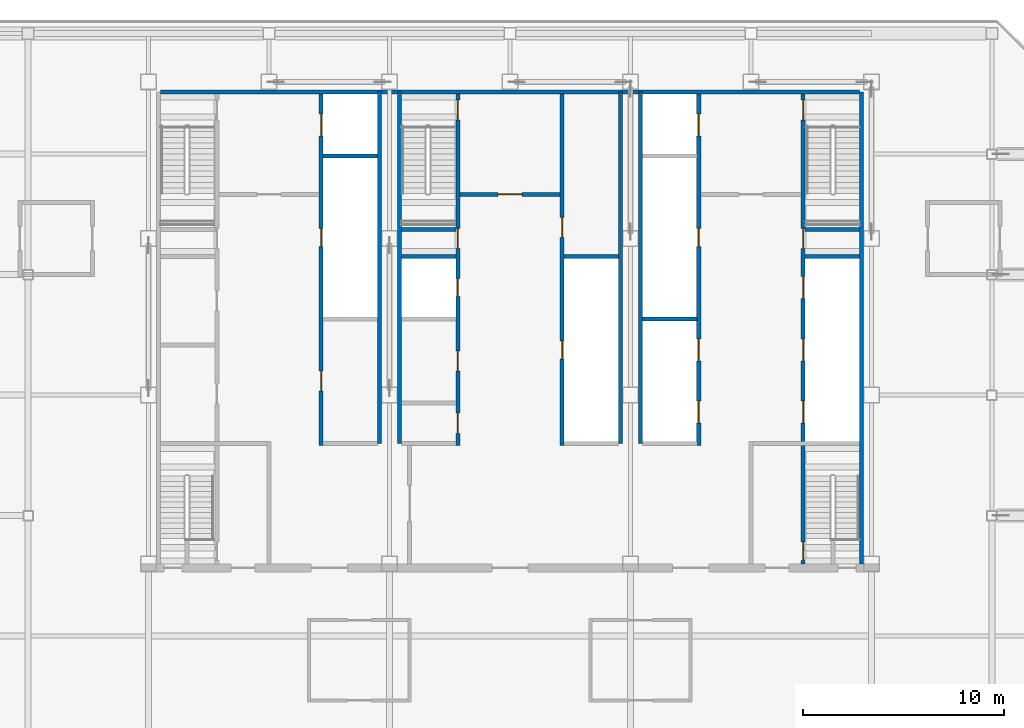
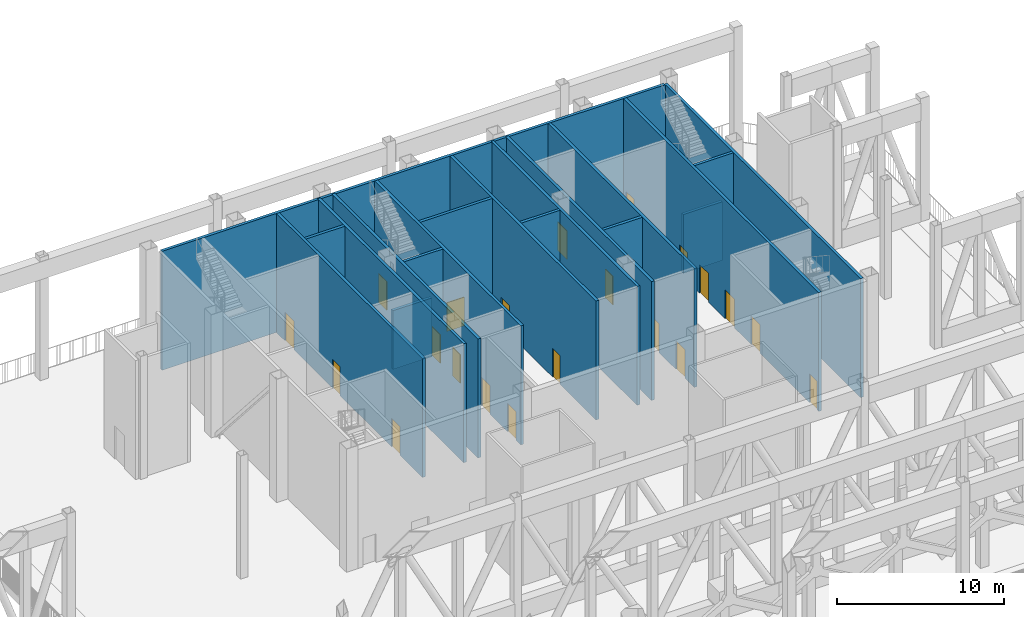
# One storey, part 8 of 22: 21 doors, 19 walls, 21 openings.
"""IFC4 building model written with IfcOpenShell, lengths in metres."""

from ifc_helpers import new_model, si_unit, direction, frame, frame_2d, origin, place, context, subcontext, project, spatial, rectangle, extrude, material, layer, layer_set, type_object, element, fill, save


model = new_model("IFC4")

# Units and contexts
model_context = context("Model", 3, precision=1e-05, world=origin(), true_north=direction((0.0, 1.0)))
body_context = subcontext(model_context, "Body", "Model", "MODEL_VIEW")
ifc_project = project(units=[si_unit("LENGTHUNIT", "METRE"), si_unit("AREAUNIT", "SQUARE_METRE"), si_unit("VOLUMEUNIT", "CUBIC_METRE"), si_unit("PLANEANGLEUNIT", "RADIAN"), si_unit("MASSUNIT", "GRAM", prefix="KILO")], contexts=[model_context])

# Site, building, storey
site_placement = place(None, origin())
site = spatial("IfcSite", under=ifc_project, at=site_placement, CompositionType="ELEMENT")
building_placement = place(site_placement, origin())
building = spatial("IfcBuilding", under=site, at=building_placement, Name="Sorahane Residences", CompositionType="ELEMENT")
storey_placement = place(building_placement, frame((0.0, 0.0, 281.800048828125)))
storey = spatial("IfcBuildingStorey", under=building, at=storey_placement, Name="L67", CompositionType="ELEMENT", Elevation=281.800048828125)

# Walls
ifc_material_1 = material(Name="White painted Concrete C30", Category="concrete")
ifc_layer_1 = layer(ifc_material_1, 0.199951171875)
ifc_layer_set_1 = layer_set([ifc_layer_1], Name="Core face wall painted white 200 EI 180")
wall_type_1 = type_object("IfcWallType", Name="Core face wall painted white 200 EI 180", PredefinedType="SOLIDWALL", material=ifc_layer_set_1)
wall_1_placement = place(storey_placement, frame((41.5, 21.60009765625, 0.0), z_axis=(0.0, 0.0, 1.0), x_axis=(0.0, 1.0, 0.0)))
element("IfcWall", 1, at=wall_1_placement, inside=storey, type_object=wall_type_1, Name="L67 core face wall", PredefinedType="SOLIDWALL", context=body_context, shape_type="SweptSolid", body=[
    extrude(rectangle(XDim=23.5, YDim=0.199951171875, at=frame_2d((11.75, 0.0))), origin(), (0.0, 0.0, 1.0), 8.699951171875),
])
wall_2_placement = place(storey_placement, frame((6.60009765625, 45.10009765625, 0.0), z_axis=(0.0, 0.0, 1.0), x_axis=(1.0, 0.0, 0.0)))
element("IfcWall", 2, at=wall_2_placement, inside=storey, type_object=wall_type_1, Name="L67 core face wall", PredefinedType="SOLIDWALL", context=body_context, shape_type="SweptSolid", body=[
    extrude(rectangle(XDim=34.7998046875, YDim=0.199951171875, at=frame_2d((17.39990234375, 0.0))), origin(), (0.0, 0.0, 1.0), 8.699951171875),
])
for number, where, z_axis, x_axis, name in (
    (3, (17.5, 27.60009765625, 0.0), (0.0, 0.0, 1.0), (0.0, 1.0, 0.0), "L67 core face wall"),
    (4, (18.5, 27.60009765625, 0.0), (0.0, 0.0, 1.0), (0.0, 1.0, 0.0), "L67 core face wall"),
    (5, (29.5, 27.60009765625, 0.0), (0.0, 0.0, 1.0), (0.0, 1.0, 0.0), "L67 core face wall"),
    (6, (30.5, 27.60009765625, 0.0), (0.0, 0.0, 1.0), (0.0, 1.0, 0.0), "L67 core face wall"),
):
    element("IfcWall", number, at=place(storey_placement, frame(where, z_axis=z_axis, x_axis=x_axis)), inside=storey, type_object=wall_type_1, Name=name, PredefinedType="SOLIDWALL", context=body_context, shape_type="SweptSolid", body=[
        extrude(rectangle(XDim=17.5, YDim=0.199951171875, at=frame_2d((8.75, 0.0))), origin(), (0.0, 0.0, 1.0), 8.699951171875),
    ])

# Wall, opening, door
ifc_material_2 = material(Name="White painted Concrete C30", Category="concrete")
ifc_layer_2 = layer(ifc_material_2, 0.199951171875)
ifc_layer_set_2 = layer_set([ifc_layer_2], Name="Front room wall painted white 200 EI 120")
wall_type_2 = type_object("IfcWallType", Name="Front room wall painted white 200 EI 120", PredefinedType="PARTITIONING", material=ifc_layer_set_2)
wall_3_placement = place(storey_placement, frame((21.5, 40.0, 0.0), z_axis=(0.0, 0.0, 1.0), x_axis=(1.0, 0.0, 0.0)))
wall_3 = element("IfcWall", 7, at=wall_3_placement, inside=storey, type_object=wall_type_2, Name="L67 front room wall", PredefinedType="PARTITIONING", context=body_context, shape_type="SweptSolid", body=[
    extrude(rectangle(XDim=5.0, YDim=0.199951171875, at=frame_2d((2.5, 0.0))), origin(), (0.0, 0.0, 1.0), 8.699951171875),
])
opening_1_placement = place(wall_3_placement, frame((1.89990234375, 0.0, 0.0)))
opening_1 = element("IfcOpeningElement", 8, at=opening_1_placement, cuts=wall_3, Name="Opening L67-C08", PredefinedType="OPENING", context=body_context, shape_type="SweptSolid", body=[
    extrude(rectangle(XDim=1.199951171875, YDim=2.10009765625, at=frame_2d((0.60009765625, 1.050048828125))), frame((0.0, 0.10986328125, 0.0), z_axis=(0.0, -1.0, 0.0), x_axis=(1.0, 0.0, 0.0)), (0.0, 0.0, 1.0), 0.219970703125),
])
ifc_material_3 = material(Name="Steel", Category="steel")
door_type_1 = type_object("IfcDoorType", Name="Front room door 1200x2100 FD120", OperationType="NOTDEFINED", PredefinedType="DOOR", material=ifc_material_3)
door_1_placement = place(opening_1_placement, frame((1.199951171875, 0.0, 0.0), z_axis=(0.0, 0.0, 1.0), x_axis=(-1.0, 0.0, 0.0)))
door_1 = element("IfcDoor", 9, at=door_1_placement, inside=storey, type_object=door_type_1, Name="Front room door Stair S3 vestibule L67", OperationType="DOUBLE_DOOR_SINGLE_SWING", OverallHeight=2.10009765625, OverallWidth=1.199951171875, PredefinedType="DOOR", context=body_context, shape_type="SweptSolid", body=[
    extrude(rectangle(XDim=1.199951171875, YDim=2.10009765625, at=frame_2d((0.60009765625, 1.050048828125))), frame((0.0, 0.02490234375, 0.0), z_axis=(0.0, -1.0, 0.0), x_axis=(1.0, 0.0, 0.0)), (0.0, 0.0, 1.0), 0.050048828125),
])
fill(opening_1, door_1)

# Wall, openings, doors
ifc_material_4 = material(Name="White painted Concrete C30", Category="concrete")
ifc_layer_3 = layer(ifc_material_4, 0.199951171875)
ifc_layer_set_3 = layer_set([ifc_layer_3], Name="Lift shaft wall painted white 200 EI 120")
wall_type_3 = type_object("IfcWallType", Name="Lift shaft wall painted white 200 EI 120", PredefinedType="SOLIDWALL", material=ifc_layer_set_3)
wall_4_placement = place(storey_placement, frame((14.60009765625, 27.5, 0.0), z_axis=(0.0, 0.0, 1.0), x_axis=(0.0, 1.0, 0.0)))
wall_4 = element("IfcWall", 10, at=wall_4_placement, inside=storey, type_object=wall_type_3, Name="L67 lift shaft wall", PredefinedType="SOLIDWALL", context=body_context, shape_type="SweptSolid", body=[
    extrude(rectangle(XDim=17.5, YDim=0.199951171875, at=frame_2d((8.75, 0.0))), origin(), (0.0, 0.0, 1.0), 8.699951171875),
])
opening_2_placement = place(wall_4_placement, frame((15.39990234375, 0.0, 0.0)))
opening_2 = element("IfcOpeningElement", 11, at=opening_2_placement, cuts=wall_4, Name="Opening L67-C16", PredefinedType="OPENING", context=body_context, shape_type="SweptSolid", body=[
    extrude(rectangle(XDim=1.10009765625, YDim=2.10009765625, at=frame_2d((0.550048828125, 1.050048828125))), frame((0.0, 0.10986328125, 0.0), z_axis=(0.0, -1.0, 0.0), x_axis=(1.0, 0.0, 0.0)), (0.0, 0.0, 1.0), 0.219970703125),
])
opening_3_placement = place(wall_4_placement, frame((2.699951171875, 0.0, 0.0)))
opening_3 = element("IfcOpeningElement", 12, at=opening_3_placement, cuts=wall_4, Name="Opening L67-C19", PredefinedType="OPENING", context=body_context, shape_type="SweptSolid", body=[
    extrude(rectangle(XDim=1.0, YDim=2.10009765625, at=frame_2d((0.5, 1.050048828125))), frame((0.0, 0.10986328125, 0.0), z_axis=(0.0, -1.0, 0.0), x_axis=(1.0, 0.0, 0.0)), (0.0, 0.0, 1.0), 0.219970703125),
])
opening_4_placement = place(wall_4_placement, frame((9.89990234375, 0.0, 0.0)))
opening_4 = element("IfcOpeningElement", 13, at=opening_4_placement, cuts=wall_4, Name="Opening L67-C32", PredefinedType="OPENING", context=body_context, shape_type="SweptSolid", body=[
    extrude(rectangle(XDim=0.89990234375, YDim=2.10009765625, at=frame_2d((0.449951171875, 1.050048828125))), frame((0.0, 0.10986328125, 0.0), z_axis=(0.0, -1.0, 0.0), x_axis=(1.0, 0.0, 0.0)), (0.0, 0.0, 1.0), 0.219970703125),
])
ifc_material_5 = material(Name="Aluminium and stainless steel", Category="steel")
door_type_2 = type_object("IfcDoorType", Name="Lift landing door 1100x2100 E 60", OperationType="NOTDEFINED", PredefinedType="DOOR", material=ifc_material_5)
door_2_placement = place(opening_2_placement, origin())
door_2 = element("IfcDoor", 14, at=door_2_placement, inside=storey, type_object=door_type_2, Name="Lift landing door FF1 L67", OperationType="DOUBLE_DOOR_SLIDING", OverallHeight=2.10009765625, OverallWidth=1.10009765625, PredefinedType="DOOR", context=body_context, shape_type="SweptSolid", body=[
    extrude(rectangle(XDim=1.10009765625, YDim=2.10009765625, at=frame_2d((0.550048828125, 1.050048828125))), frame((0.0, 0.02490234375, 0.0), z_axis=(0.0, -1.0, 0.0), x_axis=(1.0, 0.0, 0.0)), (0.0, 0.0, 1.0), 0.050048828125),
])
fill(opening_2, door_2)
ifc_material_6 = material(Name="Steel", Category="steel")
door_type_3 = type_object("IfcDoorType", Name="Riser door 900x2100 FD120", OperationType="NOTDEFINED", PredefinedType="DOOR", material=ifc_material_6)
door_3_placement = place(opening_4_placement, origin())
door_3 = element("IfcDoor", 15, at=door_3_placement, inside=storey, type_object=door_type_3, Name="Riser door R1 L67", OperationType="SINGLE_SWING_LEFT", OverallHeight=2.10009765625, OverallWidth=0.89990234375, PredefinedType="DOOR", context=body_context, shape_type="SweptSolid", body=[
    extrude(rectangle(XDim=0.89990234375, YDim=2.10009765625, at=frame_2d((0.449951171875, 1.050048828125))), frame((0.0, 0.02490234375, 0.0), z_axis=(0.0, -1.0, 0.0), x_axis=(1.0, 0.0, 0.0)), (0.0, 0.0, 1.0), 0.050048828125),
])
fill(opening_4, door_3)
ifc_material_7 = material(Name="Steel", Category="steel")
door_type_4 = type_object("IfcDoorType", Name="Service room door 1000x2100 FD60", OperationType="NOTDEFINED", PredefinedType="DOOR", material=ifc_material_7)
door_4_placement = place(opening_3_placement, frame((1.0, 0.0, 0.0), z_axis=(0.0, 0.0, 1.0), x_axis=(-1.0, 0.0, 0.0)))
door_4 = element("IfcDoor", 16, at=door_4_placement, inside=storey, type_object=door_type_4, Name="Service room door Wine room L67", OperationType="SINGLE_SWING_RIGHT", OverallHeight=2.10009765625, OverallWidth=1.0, PredefinedType="DOOR", context=body_context, shape_type="SweptSolid", body=[
    extrude(rectangle(XDim=1.0, YDim=2.10009765625, at=frame_2d((0.5, 1.050048828125))), frame((0.0, 0.02490234375, 0.0), z_axis=(0.0, -1.0, 0.0), x_axis=(1.0, 0.0, 0.0)), (0.0, 0.0, 1.0), 0.050048828125),
])
fill(opening_3, door_4)

wall_5_placement = place(storey_placement, frame((33.39990234375, 27.5, 0.0), z_axis=(0.0, 0.0, 1.0), x_axis=(0.0, 1.0, 0.0)))
wall_5 = element("IfcWall", 17, at=wall_5_placement, inside=storey, type_object=wall_type_3, Name="L67 lift shaft wall", PredefinedType="SOLIDWALL", context=body_context, shape_type="SweptSolid", body=[
    extrude(rectangle(XDim=17.5, YDim=0.199951171875, at=frame_2d((8.75, 0.0))), origin(), (0.0, 0.0, 1.0), 8.699951171875),
])
opening_5_placement = place(wall_5_placement, frame((1.10009765625, 0.0, 0.0)))
opening_5 = element("IfcOpeningElement", 18, at=opening_5_placement, cuts=wall_5, Name="Opening L67-C13", PredefinedType="OPENING", context=body_context, shape_type="SweptSolid", body=[
    extrude(rectangle(XDim=1.10009765625, YDim=2.10009765625, at=frame_2d((0.550048828125, 1.050048828125))), frame((0.0, 0.10986328125, 0.0), z_axis=(0.0, -1.0, 0.0), x_axis=(1.0, 0.0, 0.0)), (0.0, 0.0, 1.0), 0.219970703125),
])
opening_6_placement = place(wall_5_placement, frame((4.199951171875, 0.0, 0.0)))
opening_6 = element("IfcOpeningElement", 19, at=opening_6_placement, cuts=wall_5, Name="Opening L67-C14", PredefinedType="OPENING", context=body_context, shape_type="SweptSolid", body=[
    extrude(rectangle(XDim=1.10009765625, YDim=2.10009765625, at=frame_2d((0.550048828125, 1.050048828125))), frame((0.0, 0.10986328125, 0.0), z_axis=(0.0, -1.0, 0.0), x_axis=(1.0, 0.0, 0.0)), (0.0, 0.0, 1.0), 0.219970703125),
])
opening_7_placement = place(wall_5_placement, frame((15.39990234375, 0.0, 0.0)))
opening_7 = element("IfcOpeningElement", 20, at=opening_7_placement, cuts=wall_5, Name="Opening L67-C15", PredefinedType="OPENING", context=body_context, shape_type="SweptSolid", body=[
    extrude(rectangle(XDim=1.10009765625, YDim=2.10009765625, at=frame_2d((0.550048828125, 1.050048828125))), frame((0.0, 0.10986328125, 0.0), z_axis=(0.0, -1.0, 0.0), x_axis=(1.0, 0.0, 0.0)), (0.0, 0.0, 1.0), 0.219970703125),
])
opening_8_placement = place(wall_5_placement, frame((9.89990234375, 0.0, 0.0)))
opening_8 = element("IfcOpeningElement", 21, at=opening_8_placement, cuts=wall_5, Name="Opening L67-C33", PredefinedType="OPENING", context=body_context, shape_type="SweptSolid", body=[
    extrude(rectangle(XDim=0.89990234375, YDim=2.10009765625, at=frame_2d((0.449951171875, 1.050048828125))), frame((0.0, 0.10986328125, 0.0), z_axis=(0.0, -1.0, 0.0), x_axis=(1.0, 0.0, 0.0)), (0.0, 0.0, 1.0), 0.219970703125),
])
door_5_placement = place(opening_5_placement, origin())
door_5 = element("IfcDoor", 22, at=door_5_placement, inside=storey, type_object=door_type_2, Name="Lift landing door HR4 L67", OperationType="DOUBLE_DOOR_SLIDING", OverallHeight=2.10009765625, OverallWidth=1.10009765625, PredefinedType="DOOR", context=body_context, shape_type="SweptSolid", body=[
    extrude(rectangle(XDim=1.10009765625, YDim=2.10009765625, at=frame_2d((0.550048828125, 1.050048828125))), frame((0.0, 0.02490234375, 0.0), z_axis=(0.0, -1.0, 0.0), x_axis=(1.0, 0.0, 0.0)), (0.0, 0.0, 1.0), 0.050048828125),
])
fill(opening_5, door_5)
door_6_placement = place(opening_6_placement, origin())
door_6 = element("IfcDoor", 23, at=door_6_placement, inside=storey, type_object=door_type_2, Name="Lift landing door HR5 L67", OperationType="DOUBLE_DOOR_SLIDING", OverallHeight=2.10009765625, OverallWidth=1.10009765625, PredefinedType="DOOR", context=body_context, shape_type="SweptSolid", body=[
    extrude(rectangle(XDim=1.10009765625, YDim=2.10009765625, at=frame_2d((0.550048828125, 1.050048828125))), frame((0.0, 0.02490234375, 0.0), z_axis=(0.0, -1.0, 0.0), x_axis=(1.0, 0.0, 0.0)), (0.0, 0.0, 1.0), 0.050048828125),
])
fill(opening_6, door_6)
door_7_placement = place(opening_7_placement, origin())
door_7 = element("IfcDoor", 24, at=door_7_placement, inside=storey, type_object=door_type_2, Name="Lift landing door FF2 L67", OperationType="DOUBLE_DOOR_SLIDING", OverallHeight=2.10009765625, OverallWidth=1.10009765625, PredefinedType="DOOR", context=body_context, shape_type="SweptSolid", body=[
    extrude(rectangle(XDim=1.10009765625, YDim=2.10009765625, at=frame_2d((0.550048828125, 1.050048828125))), frame((0.0, 0.02490234375, 0.0), z_axis=(0.0, -1.0, 0.0), x_axis=(1.0, 0.0, 0.0)), (0.0, 0.0, 1.0), 0.050048828125),
])
fill(opening_7, door_7)
door_8_placement = place(opening_8_placement, frame((0.89990234375, 0.0, 0.0), z_axis=(0.0, 0.0, 1.0), x_axis=(-1.0, 0.0, 0.0)))
door_8 = element("IfcDoor", 25, at=door_8_placement, inside=storey, type_object=door_type_3, Name="Riser door R2 L67", OperationType="SINGLE_SWING_LEFT", OverallHeight=2.10009765625, OverallWidth=0.89990234375, PredefinedType="DOOR", context=body_context, shape_type="SweptSolid", body=[
    extrude(rectangle(XDim=0.89990234375, YDim=2.10009765625, at=frame_2d((0.449951171875, 1.050048828125))), frame((0.0, 0.02490234375, 0.0), z_axis=(0.0, -1.0, 0.0), x_axis=(1.0, 0.0, 0.0)), (0.0, 0.0, 1.0), 0.050048828125),
])
fill(opening_8, door_8)

# Walls
for number, where, z_axis, x_axis, name in (
    (26, (30.60009765625, 33.800048828125, 0.0), (0.0, 0.0, 1.0), (1.0, 0.0, 0.0), "L67 lift shaft wall"),
    (27, (14.699951171875, 41.89990234375, 0.0), (0.0, 0.0, 1.0), (1.0, 0.0, 0.0), "L67 lift shaft wall"),
):
    element("IfcWall", number, at=place(storey_placement, frame(where, z_axis=z_axis, x_axis=x_axis)), inside=storey, type_object=wall_type_3, Name=name, PredefinedType="SOLIDWALL", context=body_context, shape_type="SweptSolid", body=[
        extrude(rectangle(XDim=2.699951171875, YDim=0.199951171875, at=frame_2d((1.35009765625, 0.0))), origin(), (0.0, 0.0, 1.0), 8.699951171875),
    ])

# Wall, openings, doors
ifc_material_8 = material(Name="White painted Concrete C30", Category="concrete")
ifc_layer_4 = layer(ifc_material_8, 0.199951171875)
ifc_layer_set_4 = layer_set([ifc_layer_4], Name="Riser shaft wall painted white 200 EI 120")
wall_type_4 = type_object("IfcWallType", Name="Riser shaft wall painted white 200 EI 120", PredefinedType="SOLIDWALL", material=ifc_layer_set_4)
wall_6_placement = place(storey_placement, frame((26.60009765625, 27.5, 0.0), z_axis=(0.0, 0.0, 1.0), x_axis=(0.0, 1.0, 0.0)))
wall_6 = element("IfcWall", 28, at=wall_6_placement, inside=storey, type_object=wall_type_4, Name="L67 riser wall", PredefinedType="SOLIDWALL", context=body_context, shape_type="SweptSolid", body=[
    extrude(rectangle(XDim=17.5, YDim=0.199951171875, at=frame_2d((8.75, 0.0))), origin(), (0.0, 0.0, 1.0), 8.699951171875),
])
opening_9_placement = place(wall_6_placement, frame((4.300048828125, 0.0, 0.0)))
opening_9 = element("IfcOpeningElement", 29, at=opening_9_placement, cuts=wall_6, Name="Opening L67-C35", PredefinedType="OPENING", context=body_context, shape_type="SweptSolid", body=[
    extrude(rectangle(XDim=0.89990234375, YDim=2.10009765625, at=frame_2d((0.449951171875, 1.050048828125))), frame((0.0, 0.10986328125, 0.0), z_axis=(0.0, -1.0, 0.0), x_axis=(1.0, 0.0, 0.0)), (0.0, 0.0, 1.0), 0.219970703125),
])
opening_10_placement = place(wall_6_placement, frame((10.35009765625, 0.0, 0.0)))
opening_10 = element("IfcOpeningElement", 30, at=opening_10_placement, cuts=wall_6, Name="Opening L67-C36", PredefinedType="OPENING", context=body_context, shape_type="SweptSolid", body=[
    extrude(rectangle(XDim=1.0, YDim=2.10009765625, at=frame_2d((0.5, 1.050048828125))), frame((0.0, 0.10986328125, 0.0), z_axis=(0.0, -1.0, 0.0), x_axis=(1.0, 0.0, 0.0)), (0.0, 0.0, 1.0), 0.219970703125),
])
door_9_placement = place(opening_9_placement, origin())
door_9 = element("IfcDoor", 31, at=door_9_placement, inside=storey, type_object=door_type_3, Name="Riser door R4 L67", OperationType="SINGLE_SWING_LEFT", OverallHeight=2.10009765625, OverallWidth=0.89990234375, PredefinedType="DOOR", context=body_context, shape_type="SweptSolid", body=[
    extrude(rectangle(XDim=0.89990234375, YDim=2.10009765625, at=frame_2d((0.449951171875, 1.050048828125))), frame((0.0, 0.02490234375, 0.0), z_axis=(0.0, -1.0, 0.0), x_axis=(1.0, 0.0, 0.0)), (0.0, 0.0, 1.0), 0.050048828125),
])
fill(opening_9, door_9)
door_10_placement = place(opening_10_placement, frame((1.0, 0.0, 0.0), z_axis=(0.0, 0.0, 1.0), x_axis=(-1.0, 0.0, 0.0)))
door_10 = element("IfcDoor", 32, at=door_10_placement, inside=storey, type_object=door_type_4, Name="Service room door Housekeeping store L67", OperationType="SINGLE_SWING_LEFT", OverallHeight=2.10009765625, OverallWidth=1.0, PredefinedType="DOOR", context=body_context, shape_type="SweptSolid", body=[
    extrude(rectangle(XDim=1.0, YDim=2.10009765625, at=frame_2d((0.5, 1.050048828125))), frame((0.0, 0.02490234375, 0.0), z_axis=(0.0, -1.0, 0.0), x_axis=(1.0, 0.0, 0.0)), (0.0, 0.0, 1.0), 0.050048828125),
])
fill(opening_10, door_10)

# Wall
wall_7_placement = place(storey_placement, frame((26.699951171875, 36.89990234375, 0.0), z_axis=(0.0, 0.0, 1.0), x_axis=(1.0, 0.0, 0.0)))
element("IfcWall", 33, at=wall_7_placement, inside=storey, type_object=wall_type_4, Name="L67 riser wall", PredefinedType="SOLIDWALL", context=body_context, shape_type="SweptSolid", body=[
    extrude(rectangle(XDim=2.699951171875, YDim=0.199951171875, at=frame_2d((1.35009765625, 0.0))), origin(), (0.0, 0.0, 1.0), 8.699951171875),
])

# Wall, openings, doors
ifc_material_9 = material(Name="White painted Concrete C30", Category="concrete")
ifc_layer_5 = layer(ifc_material_9, 0.199951171875)
ifc_layer_set_5 = layer_set([ifc_layer_5], Name="Stair enclosure wall painted white 200 EI 120")
wall_type_5 = type_object("IfcWallType", Name="Stair enclosure wall painted white 200 EI 120", PredefinedType="SOLIDWALL", material=ifc_layer_set_5)
wall_8_placement = place(storey_placement, frame((21.39990234375, 27.5, 0.0), z_axis=(0.0, 0.0, 1.0), x_axis=(0.0, 1.0, 0.0)))
wall_8 = element("IfcWall", 34, at=wall_8_placement, inside=storey, type_object=wall_type_5, Name="L67 stair enclosure wall", PredefinedType="SOLIDWALL", context=body_context, shape_type="SweptSolid", body=[
    extrude(rectangle(XDim=17.5, YDim=0.199951171875, at=frame_2d((8.75, 0.0))), origin(), (0.0, 0.0, 1.0), 8.699951171875),
])
opening_11_placement = place(wall_8_placement, frame((0.60009765625, 0.0, 0.0)))
opening_11 = element("IfcOpeningElement", 35, at=opening_11_placement, cuts=wall_8, Name="Opening L67-C17", PredefinedType="OPENING", context=body_context, shape_type="SweptSolid", body=[
    extrude(rectangle(XDim=1.0, YDim=2.10009765625, at=frame_2d((0.5, 1.050048828125))), frame((0.0, 0.10986328125, 0.0), z_axis=(0.0, -1.0, 0.0), x_axis=(1.0, 0.0, 0.0)), (0.0, 0.0, 1.0), 0.219970703125),
])
opening_12_placement = place(wall_8_placement, frame((3.699951171875, 0.0, 0.0)))
opening_12 = element("IfcOpeningElement", 36, at=opening_12_placement, cuts=wall_8, Name="Opening L67-C18", PredefinedType="OPENING", context=body_context, shape_type="SweptSolid", body=[
    extrude(rectangle(XDim=1.0, YDim=2.10009765625, at=frame_2d((0.5, 1.050048828125))), frame((0.0, 0.10986328125, 0.0), z_axis=(0.0, -1.0, 0.0), x_axis=(1.0, 0.0, 0.0)), (0.0, 0.0, 1.0), 0.219970703125),
])
opening_13_placement = place(wall_8_placement, frame((9.800048828125, 0.0, 0.0)))
opening_13 = element("IfcOpeningElement", 37, at=opening_13_placement, cuts=wall_8, Name="Opening L67-C26", PredefinedType="OPENING", context=body_context, shape_type="SweptSolid", body=[
    extrude(rectangle(XDim=1.0, YDim=2.10009765625, at=frame_2d((0.5, 1.050048828125))), frame((0.0, 0.10986328125, 0.0), z_axis=(0.0, -1.0, 0.0), x_axis=(1.0, 0.0, 0.0)), (0.0, 0.0, 1.0), 0.219970703125),
])
opening_14_placement = place(wall_8_placement, frame((16.199951171875, 0.0, 0.0)))
opening_14 = element("IfcOpeningElement", 38, at=opening_14_placement, cuts=wall_8, Name="Opening L67-C27", PredefinedType="OPENING", context=body_context, shape_type="SweptSolid", body=[
    extrude(rectangle(XDim=1.0, YDim=2.10009765625, at=frame_2d((0.5, 1.050048828125))), frame((0.0, 0.10986328125, 0.0), z_axis=(0.0, -1.0, 0.0), x_axis=(1.0, 0.0, 0.0)), (0.0, 0.0, 1.0), 0.219970703125),
])
opening_15_placement = place(wall_8_placement, frame((7.39990234375, 0.0, 0.0)))
opening_15 = element("IfcOpeningElement", 39, at=opening_15_placement, cuts=wall_8, Name="Opening L67-C34", PredefinedType="OPENING", context=body_context, shape_type="SweptSolid", body=[
    extrude(rectangle(XDim=0.89990234375, YDim=2.10009765625, at=frame_2d((0.449951171875, 1.050048828125))), frame((0.0, 0.10986328125, 0.0), z_axis=(0.0, -1.0, 0.0), x_axis=(1.0, 0.0, 0.0)), (0.0, 0.0, 1.0), 0.219970703125),
])
ifc_material_10 = material(Name="Steel", Category="steel")
door_type_5 = type_object("IfcDoorType", Name="Refuge stair door 1000x2100 FD120", OperationType="NOTDEFINED", PredefinedType="DOOR", material=ifc_material_10)
door_11_placement = place(opening_13_placement, origin())
door_11 = element("IfcDoor", 40, at=door_11_placement, inside=storey, type_object=door_type_5, Name="Refuge stair door S3 L67", OperationType="SINGLE_SWING_LEFT", OverallHeight=2.10009765625, OverallWidth=1.0, PredefinedType="DOOR", context=body_context, shape_type="SweptSolid", body=[
    extrude(rectangle(XDim=1.0, YDim=2.10009765625, at=frame_2d((0.5, 1.050048828125))), frame((0.0, 0.02490234375, 0.0), z_axis=(0.0, -1.0, 0.0), x_axis=(1.0, 0.0, 0.0)), (0.0, 0.0, 1.0), 0.050048828125),
])
fill(opening_13, door_11)
door_12_placement = place(opening_14_placement, origin())
door_12 = element("IfcDoor", 41, at=door_12_placement, inside=storey, type_object=door_type_5, Name="Refuge stair door S3 L67", OperationType="SINGLE_SWING_LEFT", OverallHeight=2.10009765625, OverallWidth=1.0, PredefinedType="DOOR", context=body_context, shape_type="SweptSolid", body=[
    extrude(rectangle(XDim=1.0, YDim=2.10009765625, at=frame_2d((0.5, 1.050048828125))), frame((0.0, 0.02490234375, 0.0), z_axis=(0.0, -1.0, 0.0), x_axis=(1.0, 0.0, 0.0)), (0.0, 0.0, 1.0), 0.050048828125),
])
fill(opening_14, door_12)
door_13_placement = place(opening_15_placement, frame((0.89990234375, 0.0, 0.0), z_axis=(0.0, 0.0, 1.0), x_axis=(-1.0, 0.0, 0.0)))
door_13 = element("IfcDoor", 42, at=door_13_placement, inside=storey, type_object=door_type_3, Name="Riser door R3 L67", OperationType="SINGLE_SWING_LEFT", OverallHeight=2.10009765625, OverallWidth=0.89990234375, PredefinedType="DOOR", context=body_context, shape_type="SweptSolid", body=[
    extrude(rectangle(XDim=0.89990234375, YDim=2.10009765625, at=frame_2d((0.449951171875, 1.050048828125))), frame((0.0, 0.02490234375, 0.0), z_axis=(0.0, -1.0, 0.0), x_axis=(1.0, 0.0, 0.0)), (0.0, 0.0, 1.0), 0.050048828125),
])
fill(opening_15, door_13)
door_14_placement = place(opening_11_placement, origin())
door_14 = element("IfcDoor", 43, at=door_14_placement, inside=storey, type_object=door_type_4, Name="Service room door Valet store L67", OperationType="SINGLE_SWING_LEFT", OverallHeight=2.10009765625, OverallWidth=1.0, PredefinedType="DOOR", context=body_context, shape_type="SweptSolid", body=[
    extrude(rectangle(XDim=1.0, YDim=2.10009765625, at=frame_2d((0.5, 1.050048828125))), frame((0.0, 0.02490234375, 0.0), z_axis=(0.0, -1.0, 0.0), x_axis=(1.0, 0.0, 0.0)), (0.0, 0.0, 1.0), 0.050048828125),
])
fill(opening_11, door_14)
door_15_placement = place(opening_12_placement, origin())
door_15 = element("IfcDoor", 44, at=door_15_placement, inside=storey, type_object=door_type_4, Name="Service room door Archive L67", OperationType="SINGLE_SWING_RIGHT", OverallHeight=2.10009765625, OverallWidth=1.0, PredefinedType="DOOR", context=body_context, shape_type="SweptSolid", body=[
    extrude(rectangle(XDim=1.0, YDim=2.10009765625, at=frame_2d((0.5, 1.050048828125))), frame((0.0, 0.02490234375, 0.0), z_axis=(0.0, -1.0, 0.0), x_axis=(1.0, 0.0, 0.0)), (0.0, 0.0, 1.0), 0.050048828125),
])
fill(opening_12, door_15)

wall_9_placement = place(storey_placement, frame((38.60009765625, 21.60009765625, 0.0), z_axis=(0.0, 0.0, 1.0), x_axis=(0.0, 1.0, 0.0)))
wall_9 = element("IfcWall", 45, at=wall_9_placement, inside=storey, type_object=wall_type_5, Name="L67 stair enclosure wall", PredefinedType="SOLIDWALL", context=body_context, shape_type="SweptSolid", body=[
    extrude(rectangle(XDim=23.39990234375, YDim=0.199951171875, at=frame_2d((11.699951171875, 0.0))), origin(), (0.0, 0.0, 1.0), 8.699951171875),
])
opening_16_placement = place(wall_9_placement, frame((7.0, 0.0, 0.0)))
opening_16 = element("IfcOpeningElement", 46, at=opening_16_placement, cuts=wall_9, Name="Opening L67-C10", PredefinedType="OPENING", context=body_context, shape_type="SweptSolid", body=[
    extrude(rectangle(XDim=1.10009765625, YDim=2.10009765625, at=frame_2d((0.550048828125, 1.050048828125))), frame((0.0, 0.10986328125, 0.0), z_axis=(0.0, -1.0, 0.0), x_axis=(1.0, 0.0, 0.0)), (0.0, 0.0, 1.0), 0.219970703125),
])
opening_17_placement = place(wall_9_placement, frame((10.10009765625, 0.0, 0.0)))
opening_17 = element("IfcOpeningElement", 47, at=opening_17_placement, cuts=wall_9, Name="Opening L67-C11", PredefinedType="OPENING", context=body_context, shape_type="SweptSolid", body=[
    extrude(rectangle(XDim=1.10009765625, YDim=2.10009765625, at=frame_2d((0.550048828125, 1.050048828125))), frame((0.0, 0.10986328125, 0.0), z_axis=(0.0, -1.0, 0.0), x_axis=(1.0, 0.0, 0.0)), (0.0, 0.0, 1.0), 0.219970703125),
])
opening_18_placement = place(wall_9_placement, frame((13.199951171875, 0.0, 0.0)))
opening_18 = element("IfcOpeningElement", 48, at=opening_18_placement, cuts=wall_9, Name="Opening L67-C12", PredefinedType="OPENING", context=body_context, shape_type="SweptSolid", body=[
    extrude(rectangle(XDim=1.10009765625, YDim=2.10009765625, at=frame_2d((0.550048828125, 1.050048828125))), frame((0.0, 0.10986328125, 0.0), z_axis=(0.0, -1.0, 0.0), x_axis=(1.0, 0.0, 0.0)), (0.0, 0.0, 1.0), 0.219970703125),
])
opening_19_placement = place(wall_9_placement, frame((15.699951171875, 0.0, 0.0)))
opening_19 = element("IfcOpeningElement", 49, at=opening_19_placement, cuts=wall_9, Name="Opening L67-C24", PredefinedType="OPENING", context=body_context, shape_type="SweptSolid", body=[
    extrude(rectangle(XDim=1.0, YDim=2.10009765625, at=frame_2d((0.5, 1.050048828125))), frame((0.0, 0.10986328125, 0.0), z_axis=(0.0, -1.0, 0.0), x_axis=(1.0, 0.0, 0.0)), (0.0, 0.0, 1.0), 0.219970703125),
])
opening_20_placement = place(wall_9_placement, frame((22.10009765625, 0.0, 0.0)))
opening_20 = element("IfcOpeningElement", 50, at=opening_20_placement, cuts=wall_9, Name="Opening L67-C25", PredefinedType="OPENING", context=body_context, shape_type="SweptSolid", body=[
    extrude(rectangle(XDim=1.0, YDim=2.10009765625, at=frame_2d((0.5, 1.050048828125))), frame((0.0, 0.10986328125, 0.0), z_axis=(0.0, -1.0, 0.0), x_axis=(1.0, 0.0, 0.0)), (0.0, 0.0, 1.0), 0.219970703125),
])
opening_21_placement = place(wall_9_placement, frame((0.175048828125, 0.0, 0.0)))
opening_21 = element("IfcOpeningElement", 51, at=opening_21_placement, cuts=wall_9, Name="Opening L67-C30", PredefinedType="OPENING", context=body_context, shape_type="SweptSolid", body=[
    extrude(rectangle(XDim=0.89990234375, YDim=2.10009765625, at=frame_2d((0.449951171875, 1.050048828125))), frame((0.0, 0.10986328125, 0.0), z_axis=(0.0, -1.0, 0.0), x_axis=(1.0, 0.0, 0.0)), (0.0, 0.0, 1.0), 0.219970703125),
])
door_16_placement = place(opening_16_placement, origin())
door_16 = element("IfcDoor", 52, at=door_16_placement, inside=storey, type_object=door_type_2, Name="Lift landing door HR1 L67", OperationType="DOUBLE_DOOR_SLIDING", OverallHeight=2.10009765625, OverallWidth=1.10009765625, PredefinedType="DOOR", context=body_context, shape_type="SweptSolid", body=[
    extrude(rectangle(XDim=1.10009765625, YDim=2.10009765625, at=frame_2d((0.550048828125, 1.050048828125))), frame((0.0, 0.02490234375, 0.0), z_axis=(0.0, -1.0, 0.0), x_axis=(1.0, 0.0, 0.0)), (0.0, 0.0, 1.0), 0.050048828125),
])
fill(opening_16, door_16)
door_17_placement = place(opening_17_placement, origin())
door_17 = element("IfcDoor", 53, at=door_17_placement, inside=storey, type_object=door_type_2, Name="Lift landing door HR2 L67", OperationType="DOUBLE_DOOR_SLIDING", OverallHeight=2.10009765625, OverallWidth=1.10009765625, PredefinedType="DOOR", context=body_context, shape_type="SweptSolid", body=[
    extrude(rectangle(XDim=1.10009765625, YDim=2.10009765625, at=frame_2d((0.550048828125, 1.050048828125))), frame((0.0, 0.02490234375, 0.0), z_axis=(0.0, -1.0, 0.0), x_axis=(1.0, 0.0, 0.0)), (0.0, 0.0, 1.0), 0.050048828125),
])
fill(opening_17, door_17)
door_18_placement = place(opening_18_placement, origin())
door_18 = element("IfcDoor", 54, at=door_18_placement, inside=storey, type_object=door_type_2, Name="Lift landing door HR3 L67", OperationType="DOUBLE_DOOR_SLIDING", OverallHeight=2.10009765625, OverallWidth=1.10009765625, PredefinedType="DOOR", context=body_context, shape_type="SweptSolid", body=[
    extrude(rectangle(XDim=1.10009765625, YDim=2.10009765625, at=frame_2d((0.550048828125, 1.050048828125))), frame((0.0, 0.02490234375, 0.0), z_axis=(0.0, -1.0, 0.0), x_axis=(1.0, 0.0, 0.0)), (0.0, 0.0, 1.0), 0.050048828125),
])
fill(opening_18, door_18)
door_19_placement = place(opening_19_placement, frame((1.0, 0.0, 0.0), z_axis=(0.0, 0.0, 1.0), x_axis=(-1.0, 0.0, 0.0)))
door_19 = element("IfcDoor", 55, at=door_19_placement, inside=storey, type_object=door_type_5, Name="Refuge stair door S2 L67", OperationType="SINGLE_SWING_LEFT", OverallHeight=2.10009765625, OverallWidth=1.0, PredefinedType="DOOR", context=body_context, shape_type="SweptSolid", body=[
    extrude(rectangle(XDim=1.0, YDim=2.10009765625, at=frame_2d((0.5, 1.050048828125))), frame((0.0, 0.02490234375, 0.0), z_axis=(0.0, -1.0, 0.0), x_axis=(1.0, 0.0, 0.0)), (0.0, 0.0, 1.0), 0.050048828125),
])
fill(opening_19, door_19)
door_20_placement = place(opening_20_placement, frame((1.0, 0.0, 0.0), z_axis=(0.0, 0.0, 1.0), x_axis=(-1.0, 0.0, 0.0)))
door_20 = element("IfcDoor", 56, at=door_20_placement, inside=storey, type_object=door_type_5, Name="Refuge stair door S2 L67", OperationType="SINGLE_SWING_LEFT", OverallHeight=2.10009765625, OverallWidth=1.0, PredefinedType="DOOR", context=body_context, shape_type="SweptSolid", body=[
    extrude(rectangle(XDim=1.0, YDim=2.10009765625, at=frame_2d((0.5, 1.050048828125))), frame((0.0, 0.02490234375, 0.0), z_axis=(0.0, -1.0, 0.0), x_axis=(1.0, 0.0, 0.0)), (0.0, 0.0, 1.0), 0.050048828125),
])
fill(opening_20, door_20)
ifc_material_11 = material(Name="Steel", Category="steel")
door_type_6 = type_object("IfcDoorType", Name="Refuge stair door 900x2100 FD120", OperationType="NOTDEFINED", PredefinedType="DOOR", material=ifc_material_11)
door_21_placement = place(opening_21_placement, frame((0.89990234375, 0.0, 0.0), z_axis=(0.0, 0.0, 1.0), x_axis=(-1.0, 0.0, 0.0)))
door_21 = element("IfcDoor", 57, at=door_21_placement, inside=storey, type_object=door_type_6, Name="Refuge stair door S5 L67", OperationType="SINGLE_SWING_LEFT", OverallHeight=2.10009765625, OverallWidth=0.89990234375, PredefinedType="DOOR", context=body_context, shape_type="SweptSolid", body=[
    extrude(rectangle(XDim=0.89990234375, YDim=2.10009765625, at=frame_2d((0.449951171875, 1.050048828125))), frame((0.0, 0.02490234375, 0.0), z_axis=(0.0, -1.0, 0.0), x_axis=(1.0, 0.0, 0.0)), (0.0, 0.0, 1.0), 0.050048828125),
])
fill(opening_21, door_21)

# Walls
for number, where, z_axis, x_axis, name in (
    (58, (18.60009765625, 36.89990234375, 0.0), (0.0, 0.0, 1.0), (1.0, 0.0, 0.0), "L67 stair enclosure wall"),
    (59, (38.699951171875, 36.89990234375, 0.0), (0.0, 0.0, 1.0), (1.0, 0.0, 0.0), "L67 stair enclosure wall"),
):
    element("IfcWall", number, at=place(storey_placement, frame(where, z_axis=z_axis, x_axis=x_axis)), inside=storey, type_object=wall_type_5, Name=name, PredefinedType="SOLIDWALL", context=body_context, shape_type="SweptSolid", body=[
        extrude(rectangle(XDim=2.699951171875, YDim=0.199951171875, at=frame_2d((1.35009765625, 0.0))), origin(), (0.0, 0.0, 1.0), 8.699951171875),
    ])
for number, where, z_axis, x_axis, name in (
    (60, (18.60009765625, 38.25, 0.0), (0.0, 0.0, 1.0), (1.0, 0.0, 0.0), "L67 stair enclosure wall"),
    (61, (38.699951171875, 38.25, 0.0), (0.0, 0.0, 1.0), (1.0, 0.0, 0.0), "L67 stair enclosure wall"),
):
    element("IfcWall", number, at=place(storey_placement, frame(where, z_axis=z_axis, x_axis=x_axis)), inside=storey, type_object=wall_type_5, Name=name, PredefinedType="SOLIDWALL", context=body_context, shape_type="SweptSolid", body=[
        extrude(rectangle(XDim=2.699951171875, YDim=0.199951171875, at=frame_2d((1.35009765625, 0.0))), origin(), (0.0, 0.0, 1.0), 4.300048828125),
    ])

save(model, "model.ifc")
